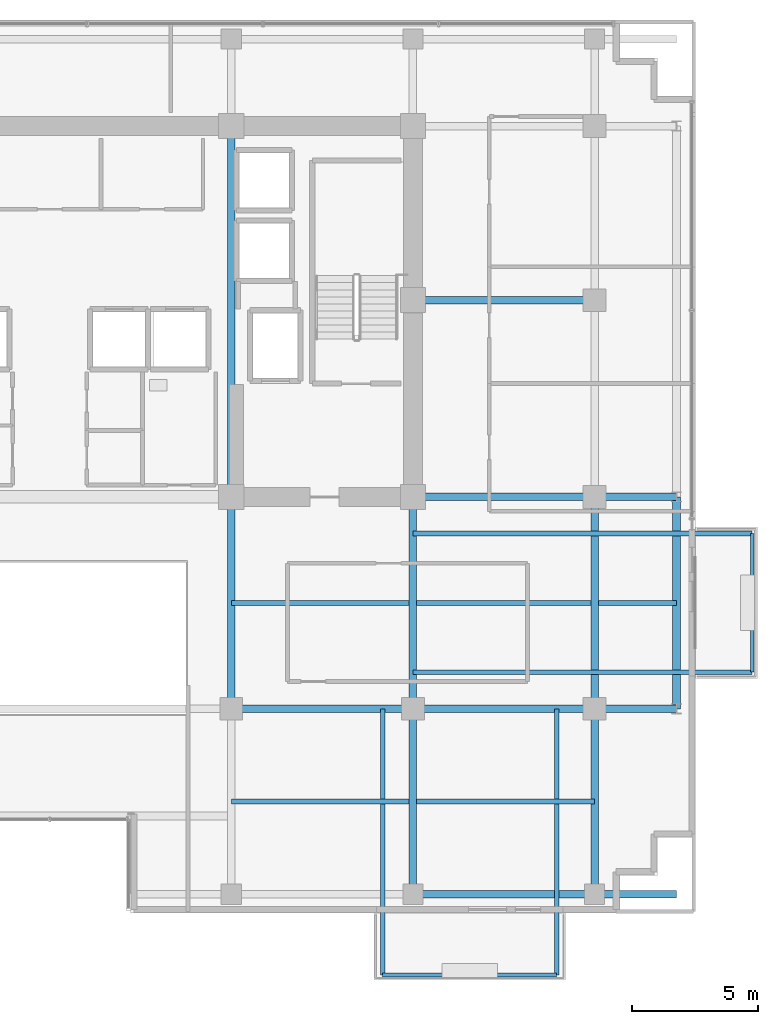
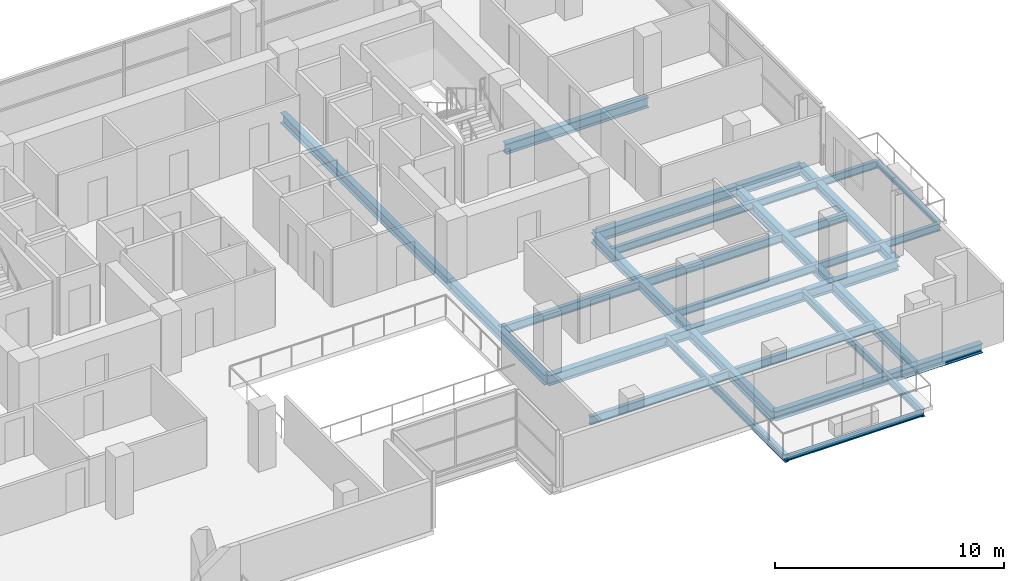
# One storey, part 12 of 25: 26 beams.
"""IFC4 building model written with IfcOpenShell, lengths in metres."""

from ifc_helpers import new_model, si_unit, direction, frame, origin, origin_2d, place, context, subcontext, project, spatial, i_section, extrude, material, material_profile, profile_set, type_object, element, save


model = new_model("IFC4")

# Units and contexts
model_context = context("Model", 3, precision=1e-05, world=origin(), true_north=direction((0.0, 1.0)))
body_context = subcontext(model_context, "Body", "Model", "MODEL_VIEW")
ifc_project = project(units=[si_unit("LENGTHUNIT", "METRE"), si_unit("AREAUNIT", "SQUARE_METRE"), si_unit("VOLUMEUNIT", "CUBIC_METRE"), si_unit("PLANEANGLEUNIT", "RADIAN"), si_unit("MASSUNIT", "GRAM", prefix="KILO")], contexts=[model_context])

# Site, building, storey
site_placement = place(None, origin())
site = spatial("IfcSite", under=ifc_project, at=site_placement, CompositionType="ELEMENT")
building_placement = place(site_placement, origin())
building = spatial("IfcBuilding", under=site, at=building_placement, Name="Zarnakvel Exchange Tower", CompositionType="ELEMENT")
storey_placement = place(building_placement, frame((0.0, 0.0, 93.39990234375)))
storey = spatial("IfcBuildingStorey", under=building, at=storey_placement, Name="L25", CompositionType="ELEMENT", Elevation=93.39990234375)

# Beams
ifc_material = material(Name="Steel S355", Category="steel")
ifc_material_profile_1 = material_profile(ifc_material, i_section(OverallWidth=0.18994140625, OverallDepth=0.449951171875, WebThickness=0.009521484375, FlangeThickness=0.0146484375, FilletRadius=0.02099609375, at=origin_2d()))
ifc_profile_set_1 = profile_set([ifc_material_profile_1], Name="Steel S355")
beam_type_1 = type_object("IfcBeamType", Name="B-05", PredefinedType="JOIST", material=ifc_profile_set_1)
for number, where, z_axis, x_axis, name in (
    (1, (7.199951171875, -13.27490234375, -0.449951171875), (1.0, 0.0, 0.0), (0.0, 1.0, 0.0), "L25 Composite Floor Secondary Joist"),
    (2, (14.550048828125, -13.27490234375, -0.449951171875), (1.0, 0.0, 0.0), (0.0, 1.0, 0.0), "L25 Composite Floor Secondary Joist"),
    (3, (7.199951171875, -5.39990234375, -0.449951171875), (1.0, 0.0, 0.0), (0.0, 1.0, 0.0), "L25 Composite Floor Secondary Joist"),
):
    element("IfcBeam", number, at=place(storey_placement, frame(where, z_axis=z_axis, x_axis=x_axis)), inside=storey, type_object=beam_type_1, Name=name, PredefinedType="JOIST", context=body_context, shape_type="SweptSolid", body=[
        extrude(i_section(OverallWidth=0.18994140625, OverallDepth=0.449951171875, WebThickness=0.009521484375, FlangeThickness=0.0146484375, FilletRadius=0.02099609375, at=origin_2d()), origin(), (0.0, 0.0, 1.0), 7.050048828125),
    ])
beam_1_placement = place(storey_placement, frame((14.550048828125, -5.39990234375, -0.449951171875), z_axis=(1.0, 0.0, 0.0), x_axis=(0.0, 1.0, 0.0)))
element("IfcBeam", 4, at=beam_1_placement, inside=storey, type_object=beam_type_1, Name="L25 Composite Floor Secondary Joist", PredefinedType="JOIST", context=body_context, shape_type="SweptSolid", body=[
    extrude(i_section(OverallWidth=0.18994140625, OverallDepth=0.449951171875, WebThickness=0.009521484375, FlangeThickness=0.0146484375, FilletRadius=0.02099609375, at=origin_2d()), origin(), (0.0, 0.0, 1.0), 6.89990234375),
])
beam_2_placement = place(storey_placement, frame((21.75, -5.39990234375, -0.449951171875), z_axis=(1.0, 0.0, 0.0), x_axis=(0.0, 1.0, 0.0)))
element("IfcBeam", 5, at=beam_2_placement, inside=storey, type_object=beam_type_1, Name="L25 Composite Floor Secondary Joist", PredefinedType="JOIST", context=body_context, shape_type="SweptSolid", body=[
    extrude(i_section(OverallWidth=0.18994140625, OverallDepth=0.449951171875, WebThickness=0.009521484375, FlangeThickness=0.0146484375, FilletRadius=0.02099609375, at=origin_2d()), origin(), (0.0, 0.0, 1.0), 3.10009765625),
])
ifc_material_profile_2 = material_profile(ifc_material, i_section(OverallWidth=0.179931640625, OverallDepth=0.39990234375, WebThickness=0.008544921875, FlangeThickness=0.013427734375, FilletRadius=0.02099609375, at=origin_2d()))
ifc_profile_set_2 = profile_set([ifc_material_profile_2], Name="Steel S355")
beam_type_2 = type_object("IfcBeamType", Name="B-06", PredefinedType="JOIST", material=ifc_profile_set_2)
for number, where, z_axis, x_axis, name in (
    (6, (13.199951171875, -9.60009765625, -0.4248046875), (0.0, -1.0, 0.0), (1.0, 0.0, 0.0), "L25 Continuous Back-Spanned Balcony Beam W"),
    (7, (20.10009765625, -9.60009765625, -0.4248046875), (0.0, -1.0, 0.0), (1.0, 0.0, 0.0), "L25 Continuous Back-Spanned Balcony Beam E"),
):
    element("IfcBeam", number, at=place(storey_placement, frame(where, z_axis=z_axis, x_axis=x_axis)), inside=storey, type_object=beam_type_2, Name=name, PredefinedType="JOIST", context=body_context, shape_type="SweptSolid", body=[
        extrude(i_section(OverallWidth=0.179931640625, OverallDepth=0.39990234375, WebThickness=0.008544921875, FlangeThickness=0.013427734375, FilletRadius=0.02099609375, at=origin_2d()), origin(), (0.0, 0.0, 1.0), 10.5498046875),
    ])
for number, where, z_axis, x_axis, name in (
    (8, (14.39990234375, -8.14990234375, -0.4248046875), (1.0, 0.0, 0.0), (0.0, 1.0, 0.0), "L25 Continuous East Loggia Beam S"),
    (9, (14.39990234375, -2.64990234375, -0.4248046875), (1.0, 0.0, 0.0), (0.0, 1.0, 0.0), "L25 Continuous East Loggia Beam N"),
):
    element("IfcBeam", number, at=place(storey_placement, frame(where, z_axis=z_axis, x_axis=x_axis)), inside=storey, type_object=beam_type_2, Name=name, PredefinedType="JOIST", context=body_context, shape_type="SweptSolid", body=[
        extrude(i_section(OverallWidth=0.179931640625, OverallDepth=0.39990234375, WebThickness=0.008544921875, FlangeThickness=0.013427734375, FilletRadius=0.02099609375, at=origin_2d()), origin(), (0.0, 0.0, 1.0), 13.4501953125),
    ])
ifc_material_profile_3 = material_profile(ifc_material, i_section(OverallWidth=0.14990234375, OverallDepth=0.300048828125, WebThickness=0.007080078125, FlangeThickness=0.0107421875, FilletRadius=0.014892578125, at=origin_2d()))
ifc_profile_set_3 = profile_set([ifc_material_profile_3], Name="Steel S355")
beam_type_3 = type_object("IfcBeamType", Name="B-08", PredefinedType="JOIST", material=ifc_profile_set_3)
beam_3_placement = place(storey_placement, frame((13.199951171875, -20.14990234375, -0.375), z_axis=(1.0, 0.0, 0.0), x_axis=(0.0, 1.0, 0.0)))
element("IfcBeam", 10, at=beam_3_placement, inside=storey, type_object=beam_type_3, Name="L25 Balcony Edge Beam", PredefinedType="JOIST", context=body_context, shape_type="SweptSolid", body=[
    extrude(i_section(OverallWidth=0.14990234375, OverallDepth=0.300048828125, WebThickness=0.007080078125, FlangeThickness=0.0107421875, FilletRadius=0.014892578125, at=origin_2d()), origin(), (0.0, 0.0, 1.0), 6.900146484375),
])
beam_4_placement = place(storey_placement, frame((27.85009765625, -8.14990234375, -0.375), z_axis=(0.0, 1.0, 0.0), x_axis=(-1.0, 0.0, 0.0)))
element("IfcBeam", 11, at=beam_4_placement, inside=storey, type_object=beam_type_3, Name="L25 East Loggia Edge Beam", PredefinedType="JOIST", context=body_context, shape_type="SweptSolid", body=[
    extrude(i_section(OverallWidth=0.14990234375, OverallDepth=0.300048828125, WebThickness=0.007080078125, FlangeThickness=0.0107421875, FilletRadius=0.014892578125, at=origin_2d()), origin(), (0.0, 0.0, 1.0), 5.5),
])
ifc_material_profile_4 = material_profile(ifc_material, i_section(OverallWidth=0.300048828125, OverallDepth=0.550048828125, WebThickness=0.014892578125, FlangeThickness=0.029052734375, FilletRadius=0.027099609375, at=origin_2d()))
ifc_profile_set_4 = profile_set([ifc_material_profile_4], Name="Steel S355")
beam_type_4 = type_object("IfcBeamType", Name="G-05", PredefinedType="BEAM", material=ifc_profile_set_4)
beam_5_placement = place(storey_placement, frame((7.199951171875, -9.60009765625, -0.5), z_axis=(1.0, 0.0, 0.0), x_axis=(0.0, 1.0, 0.0)))
element("IfcBeam", 12, at=beam_5_placement, inside=storey, type_object=beam_type_4, Name="L25 Tower E-W Frame Beam", PredefinedType="BEAM", context=body_context, shape_type="SweptSolid", body=[
    extrude(i_section(OverallWidth=0.300048828125, OverallDepth=0.550048828125, WebThickness=0.014892578125, FlangeThickness=0.029052734375, FilletRadius=0.027099609375, at=origin_2d()), origin(), (0.0, 0.0, 1.0), 7.199951171875),
])
beam_6_placement = place(storey_placement, frame((14.39990234375, -9.60009765625, -0.5), z_axis=(1.0, 0.0, 0.0), x_axis=(0.0, 1.0, 0.0)))
element("IfcBeam", 13, at=beam_6_placement, inside=storey, type_object=beam_type_4, Name="L25 Tower E-W Frame Beam", PredefinedType="BEAM", context=body_context, shape_type="SweptSolid", body=[
    extrude(i_section(OverallWidth=0.300048828125, OverallDepth=0.550048828125, WebThickness=0.014892578125, FlangeThickness=0.029052734375, FilletRadius=0.027099609375, at=origin_2d()), origin(), (0.0, 0.0, 1.0), 7.2001953125),
])
beam_7_placement = place(storey_placement, frame((21.60009765625, -9.60009765625, -0.5), z_axis=(1.0, 0.0, 0.0), x_axis=(0.0, 1.0, 0.0)))
element("IfcBeam", 14, at=beam_7_placement, inside=storey, type_object=beam_type_4, Name="L25 Tower E-W Frame Beam", PredefinedType="BEAM", context=body_context, shape_type="SweptSolid", body=[
    extrude(i_section(OverallWidth=0.300048828125, OverallDepth=0.550048828125, WebThickness=0.014892578125, FlangeThickness=0.029052734375, FilletRadius=0.027099609375, at=origin_2d()), origin(), (0.0, 0.0, 1.0), 3.25),
])
beam_8_placement = place(storey_placement, frame((14.39990234375, -1.199951171875, -0.5), z_axis=(1.0, 0.0, 0.0), x_axis=(0.0, 1.0, 0.0)))
element("IfcBeam", 15, at=beam_8_placement, inside=storey, type_object=beam_type_4, Name="L25 Tower E-W Frame Beam", PredefinedType="BEAM", context=body_context, shape_type="SweptSolid", body=[
    extrude(i_section(OverallWidth=0.300048828125, OverallDepth=0.550048828125, WebThickness=0.014892578125, FlangeThickness=0.029052734375, FilletRadius=0.027099609375, at=origin_2d()), origin(), (0.0, 0.0, 1.0), 7.2001953125),
])
beam_9_placement = place(storey_placement, frame((21.60009765625, -1.199951171875, -0.5), z_axis=(1.0, 0.0, 0.0), x_axis=(0.0, 1.0, 0.0)))
element("IfcBeam", 16, at=beam_9_placement, inside=storey, type_object=beam_type_4, Name="L25 Tower E-W Frame Beam", PredefinedType="BEAM", context=body_context, shape_type="SweptSolid", body=[
    extrude(i_section(OverallWidth=0.300048828125, OverallDepth=0.550048828125, WebThickness=0.014892578125, FlangeThickness=0.029052734375, FilletRadius=0.027099609375, at=origin_2d()), origin(), (0.0, 0.0, 1.0), 3.25),
])
beam_10_placement = place(storey_placement, frame((14.39990234375, 6.60009765625, -0.5), z_axis=(1.0, 0.0, 0.0), x_axis=(0.0, 1.0, 0.0)))
element("IfcBeam", 17, at=beam_10_placement, inside=storey, type_object=beam_type_4, Name="L25 Tower E-W Frame Beam", PredefinedType="BEAM", context=body_context, shape_type="SweptSolid", body=[
    extrude(i_section(OverallWidth=0.300048828125, OverallDepth=0.550048828125, WebThickness=0.014892578125, FlangeThickness=0.029052734375, FilletRadius=0.027099609375, at=origin_2d()), origin(), (0.0, 0.0, 1.0), 7.2001953125),
])
beam_11_placement = place(storey_placement, frame((7.199951171875, -9.60009765625, -0.5), z_axis=(0.0, 1.0, 0.0), x_axis=(-1.0, 0.0, 0.0)))
element("IfcBeam", 18, at=beam_11_placement, inside=storey, type_object=beam_type_4, Name="L25 Tower N-S Frame Beam", PredefinedType="BEAM", context=body_context, shape_type="SweptSolid", body=[
    extrude(i_section(OverallWidth=0.300048828125, OverallDepth=0.550048828125, WebThickness=0.014892578125, FlangeThickness=0.029052734375, FilletRadius=0.027099609375, at=origin_2d()), origin(), (0.0, 0.0, 1.0), 8.400146484375),
])
beam_12_placement = place(storey_placement, frame((7.199951171875, -1.199951171875, -0.5), z_axis=(0.0, 1.0, 0.0), x_axis=(-1.0, 0.0, 0.0)))
element("IfcBeam", 19, at=beam_12_placement, inside=storey, type_object=beam_type_4, Name="L25 Tower N-S Frame Beam", PredefinedType="BEAM", context=body_context, shape_type="SweptSolid", body=[
    extrude(i_section(OverallWidth=0.300048828125, OverallDepth=0.550048828125, WebThickness=0.014892578125, FlangeThickness=0.029052734375, FilletRadius=0.027099609375, at=origin_2d()), origin(), (0.0, 0.0, 1.0), 14.699951171875),
])
beam_13_placement = place(storey_placement, frame((14.39990234375, -16.949951171875, -0.5), z_axis=(0.0, 1.0, 0.0), x_axis=(-1.0, 0.0, 0.0)))
element("IfcBeam", 20, at=beam_13_placement, inside=storey, type_object=beam_type_4, Name="L25 Tower N-S Frame Beam", PredefinedType="BEAM", context=body_context, shape_type="SweptSolid", body=[
    extrude(i_section(OverallWidth=0.300048828125, OverallDepth=0.550048828125, WebThickness=0.014892578125, FlangeThickness=0.029052734375, FilletRadius=0.027099609375, at=origin_2d()), origin(), (0.0, 0.0, 1.0), 7.349853515625),
])
beam_14_placement = place(storey_placement, frame((14.39990234375, -9.60009765625, -0.5), z_axis=(0.0, 1.0, 0.0), x_axis=(-1.0, 0.0, 0.0)))
element("IfcBeam", 21, at=beam_14_placement, inside=storey, type_object=beam_type_4, Name="L25 Tower N-S Frame Beam", PredefinedType="BEAM", context=body_context, shape_type="SweptSolid", body=[
    extrude(i_section(OverallWidth=0.300048828125, OverallDepth=0.550048828125, WebThickness=0.014892578125, FlangeThickness=0.029052734375, FilletRadius=0.027099609375, at=origin_2d()), origin(), (0.0, 0.0, 1.0), 8.400146484375),
])
beam_15_placement = place(storey_placement, frame((21.60009765625, -16.949951171875, -0.5), z_axis=(0.0, 1.0, 0.0), x_axis=(-1.0, 0.0, 0.0)))
element("IfcBeam", 22, at=beam_15_placement, inside=storey, type_object=beam_type_4, Name="L25 Tower N-S Frame Beam", PredefinedType="BEAM", context=body_context, shape_type="SweptSolid", body=[
    extrude(i_section(OverallWidth=0.300048828125, OverallDepth=0.550048828125, WebThickness=0.014892578125, FlangeThickness=0.029052734375, FilletRadius=0.027099609375, at=origin_2d()), origin(), (0.0, 0.0, 1.0), 7.349853515625),
])
beam_16_placement = place(storey_placement, frame((21.60009765625, -9.60009765625, -0.5), z_axis=(0.0, 1.0, 0.0), x_axis=(-1.0, 0.0, 0.0)))
element("IfcBeam", 23, at=beam_16_placement, inside=storey, type_object=beam_type_4, Name="L25 Tower N-S Frame Beam", PredefinedType="BEAM", context=body_context, shape_type="SweptSolid", body=[
    extrude(i_section(OverallWidth=0.300048828125, OverallDepth=0.550048828125, WebThickness=0.014892578125, FlangeThickness=0.029052734375, FilletRadius=0.027099609375, at=origin_2d()), origin(), (0.0, 0.0, 1.0), 8.400146484375),
])
ifc_material_profile_5 = material_profile(ifc_material, i_section(OverallWidth=0.300048828125, OverallDepth=0.5, WebThickness=0.014404296875, FlangeThickness=0.028076171875, FilletRadius=0.027099609375, at=origin_2d()))
ifc_profile_set_5 = profile_set([ifc_material_profile_5], Name="Steel S355")
beam_type_5 = type_object("IfcBeamType", Name="SP-02", PredefinedType="SPANDREL", material=ifc_profile_set_5)
beam_17_placement = place(storey_placement, frame((14.39990234375, -16.949951171875, -0.474853515625), z_axis=(1.0, 0.0, 0.0), x_axis=(0.0, 1.0, 0.0)))
element("IfcBeam", 24, at=beam_17_placement, inside=storey, type_object=beam_type_5, Name="L25 Tower E-W Frame Beam", PredefinedType="SPANDREL", context=body_context, shape_type="SweptSolid", body=[
    extrude(i_section(OverallWidth=0.300048828125, OverallDepth=0.5, WebThickness=0.014404296875, FlangeThickness=0.028076171875, FilletRadius=0.027099609375, at=origin_2d()), origin(), (0.0, 0.0, 1.0), 7.2001953125),
])
beam_18_placement = place(storey_placement, frame((24.85009765625, -9.60009765625, -0.474853515625), z_axis=(0.0, 1.0, 0.0), x_axis=(-1.0, 0.0, 0.0)))
element("IfcBeam", 25, at=beam_18_placement, inside=storey, type_object=beam_type_5, Name="L25 Tower N-S Frame Beam", PredefinedType="SPANDREL", context=body_context, shape_type="SweptSolid", body=[
    extrude(i_section(OverallWidth=0.300048828125, OverallDepth=0.5, WebThickness=0.014404296875, FlangeThickness=0.028076171875, FilletRadius=0.027099609375, at=origin_2d()), origin(), (0.0, 0.0, 1.0), 8.400146484375),
])
beam_19_placement = place(storey_placement, frame((21.60009765625, -16.949951171875, -0.474853515625), z_axis=(1.0, 0.0, 0.0), x_axis=(0.0, 1.0, 0.0)))
element("IfcBeam", 26, at=beam_19_placement, inside=storey, type_object=beam_type_5, Name="L25 South-East Corner Spandrel", PredefinedType="SPANDREL", context=body_context, shape_type="SweptSolid", body=[
    extrude(i_section(OverallWidth=0.300048828125, OverallDepth=0.5, WebThickness=0.014404296875, FlangeThickness=0.028076171875, FilletRadius=0.027099609375, at=origin_2d()), origin(), (0.0, 0.0, 1.0), 3.25),
])

save(model, "model.ifc")
